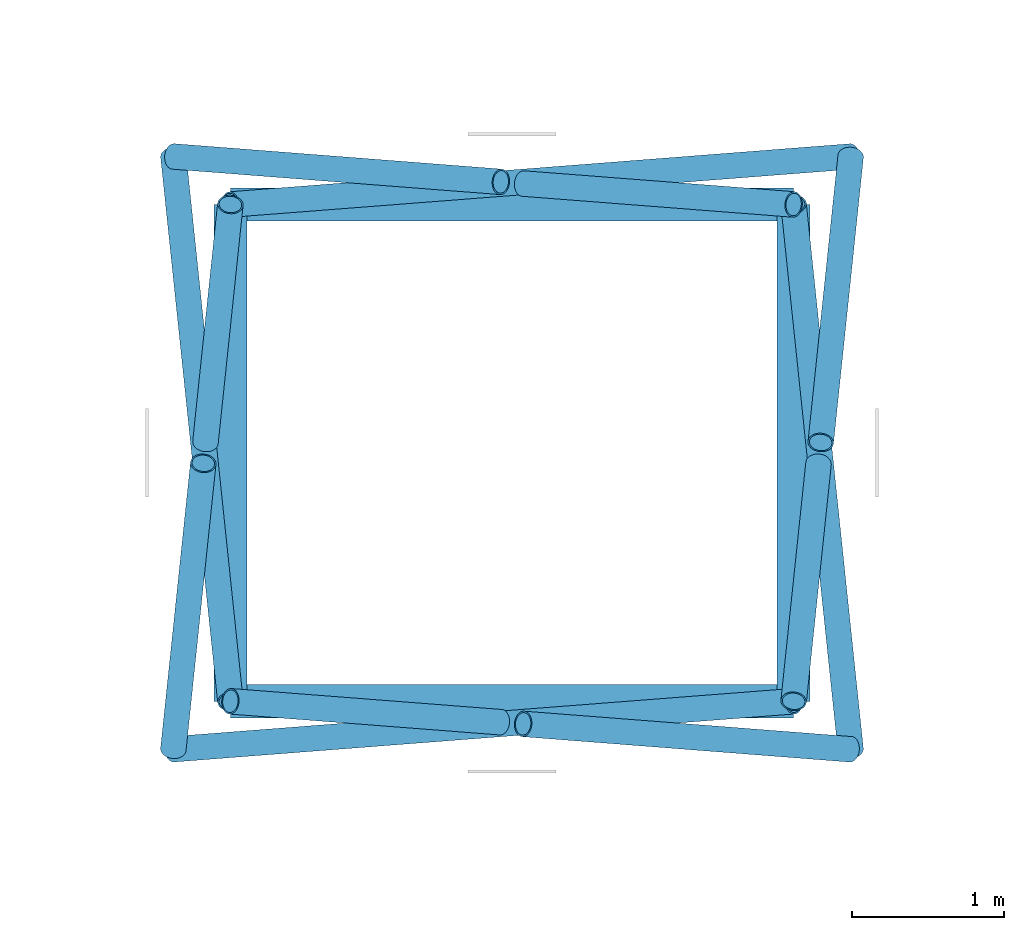
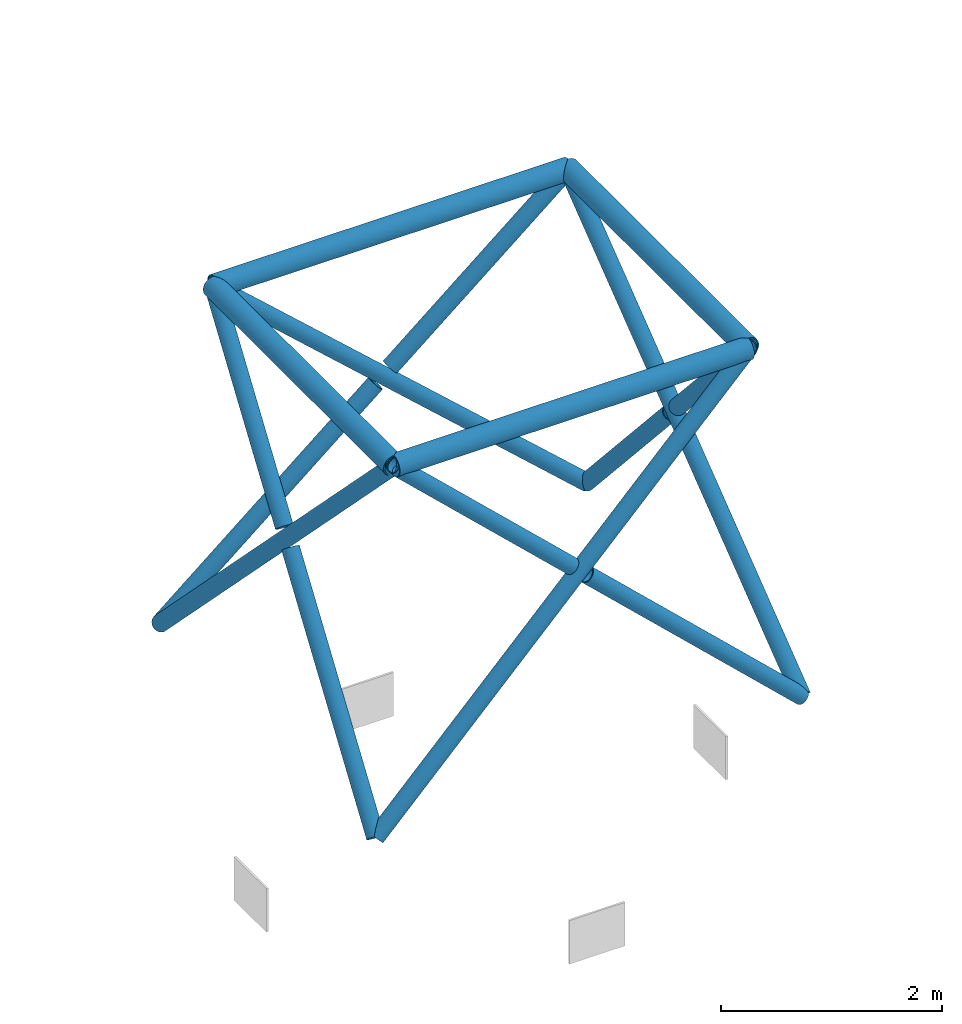
# One storey, part 42 of 127: 16 members.
"""IFC4 building model written with IfcOpenShell, lengths in metres."""

from ifc_helpers import new_model, si_unit, direction, frame, origin, origin_2d, place, context, subcontext, project, spatial, hollow_circle, extrude, material, material_profile, profile_set, type_object, element, save


model = new_model("IFC4")

# Units and contexts
model_context = context("Model", 3, precision=1e-05, world=origin(), true_north=direction((0.0, 1.0)))
body_context = subcontext(model_context, "Body", "Model", "MODEL_VIEW")
ifc_project = project(units=[si_unit("LENGTHUNIT", "METRE"), si_unit("AREAUNIT", "SQUARE_METRE"), si_unit("VOLUMEUNIT", "CUBIC_METRE"), si_unit("PLANEANGLEUNIT", "RADIAN"), si_unit("MASSUNIT", "GRAM", prefix="KILO")], contexts=[model_context])

# Site, building, storey
site_placement = place(None, origin())
site = spatial("IfcSite", under=ifc_project, at=site_placement, CompositionType="ELEMENT")
building_placement = place(site_placement, origin())
building = spatial("IfcBuilding", under=site, at=building_placement, Name="Cumevento Cable Car Station", CompositionType="ELEMENT")
storey_placement = place(building_placement, frame((0.0, 0.0, 4.5)))
storey = spatial("IfcBuildingStorey", under=building, at=storey_placement, Name="L02", CompositionType="ELEMENT", Elevation=4.5)

# Members
ifc_material_1 = material(Name="Steel ASTM A572 Grade 50", Category="steel")
ifc_material_profile_1 = material_profile(ifc_material_1, hollow_circle(Radius=0.109619140625, WallThickness=0.012451171875, at=origin_2d()), Name="CHS219.1x12.5")
ifc_profile_set_1 = profile_set([ifc_material_profile_1], Name="Steel ASTM A572 Grade 50")
member_type_1 = type_object("IfcMemberType", Name="Framing Brace TD-01 CHS219.1x12.5", PredefinedType="BRACE", material=ifc_profile_set_1)
member_1_placement = place(storey_placement, frame((92.150634765625, 21.368896484375, 7.139892578125), z_axis=(1.0, 0.0, 0.0), x_axis=(0.0, 1.0, 0.0)))
element("IfcMember", 1, at=member_1_placement, inside=storey, type_object=member_type_1, Name="PYLON_S01 Horizontal Lattice Girt #529", PredefinedType="BRACE", context=body_context, shape_type="SweptSolid", body=[
    extrude(hollow_circle(Radius=0.109619140625, WallThickness=0.012451171875, at=origin_2d()), origin(), (0.0, 0.0, 1.0), 3.69873046875),
])
member_2_placement = place(storey_placement, frame((95.849365234375, 21.368896484375, 7.139892578125), z_axis=(0.0, 1.0, 0.0), x_axis=(-1.0, 0.0, 0.0)))
element("IfcMember", 2, at=member_2_placement, inside=storey, type_object=member_type_1, Name="PYLON_S01 Horizontal Lattice Girt #533", PredefinedType="BRACE", context=body_context, shape_type="SweptSolid", body=[
    extrude(hollow_circle(Radius=0.109619140625, WallThickness=0.012451171875, at=origin_2d()), origin(), (0.0, 0.0, 1.0), 3.26220703125),
])
member_3_placement = place(storey_placement, frame((95.849365234375, 24.631103515625, 7.139892578125), z_axis=(-1.0, 0.0, 0.0), x_axis=(0.0, -1.0, 0.0)))
element("IfcMember", 3, at=member_3_placement, inside=storey, type_object=member_type_1, Name="PYLON_S01 Horizontal Lattice Girt #537", PredefinedType="BRACE", context=body_context, shape_type="SweptSolid", body=[
    extrude(hollow_circle(Radius=0.109619140625, WallThickness=0.012451171875, at=origin_2d()), origin(), (0.0, 0.0, 1.0), 3.69873046875),
])
member_4_placement = place(storey_placement, frame((92.150634765625, 24.631103515625, 7.139892578125), z_axis=(0.0, -1.0, 0.0), x_axis=(1.0, 0.0, 0.0)))
element("IfcMember", 4, at=member_4_placement, inside=storey, type_object=member_type_1, Name="PYLON_S01 Horizontal Lattice Girt #541", PredefinedType="BRACE", context=body_context, shape_type="SweptSolid", body=[
    extrude(hollow_circle(Radius=0.109619140625, WallThickness=0.012451171875, at=origin_2d()), origin(), (0.0, 0.0, 1.0), 3.26220703125),
])
ifc_material_2 = material(Name="Steel ASTM A572 Grade 50", Category="steel")
ifc_material_profile_2 = material_profile(ifc_material_2, hollow_circle(Radius=0.084228515625, WallThickness=0.010009765625, at=origin_2d()), Name="CHS168.3x10.0")
ifc_profile_set_2 = profile_set([ifc_material_profile_2], Name="Steel ASTM A572 Grade 50")
member_type_2 = type_object("IfcMemberType", Name="Framing Brace TD-02 CHS168.3x10.0", PredefinedType="BRACE", material=ifc_profile_set_2)
member_5_placement = place(storey_placement, frame((91.776123046875, 21.053466796875, 3.360107421875), z_axis=(0.731840659386, 0.056673347634, 0.679115145566), x_axis=(-0.077208304897, 0.997014983666, 0.0)))
element("IfcMember", 5, at=member_5_placement, inside=storey, type_object=member_type_2, Name="PYLON_S01 Lattice X-Brace A #530", PredefinedType="BRACE", context=body_context, shape_type="SweptSolid", body=[
    extrude(hollow_circle(Radius=0.084228515625, WallThickness=0.010009765625, at=origin_2d()), origin(), (0.0, 0.0, 1.0), 5.565673828125),
])
member_6_placement = place(storey_placement, frame((96.223876953125, 21.053466796875, 3.360107421875), z_axis=(-0.731811144104, 0.056740493975, 0.679141344426), x_axis=(-0.077302333693, -0.997007697666, 0.0)))
element("IfcMember", 6, at=member_6_placement, inside=storey, type_object=member_type_2, Name="PYLON_S01 Lattice X-Brace B Lower #531", PredefinedType="BRACE", context=body_context, shape_type="SweptSolid", body=[
    extrude(hollow_circle(Radius=0.084228515625, WallThickness=0.010009765625, at=origin_2d()), origin(), (0.0, 0.0, 1.0), 2.938720703125),
])
member_7_placement = place(storey_placement, frame((93.9267578125, 21.2314453125, 5.49169921875), z_axis=(-0.731835816399, 0.05663554153, 0.67912351842), x_axis=(-0.077157614446, -0.997018907811, 0.0)))
element("IfcMember", 7, at=member_7_placement, inside=storey, type_object=member_type_2, Name="PYLON_S01 Lattice X-Brace B Upper #532", PredefinedType="BRACE", context=body_context, shape_type="SweptSolid", body=[
    extrude(hollow_circle(Radius=0.084228515625, WallThickness=0.010009765625, at=origin_2d()), origin(), (0.0, 0.0, 1.0), 2.427001953125),
])
member_8_placement = place(storey_placement, frame((96.223876953125, 21.053466796875, 3.360107421875), z_axis=(-0.071774363433, 0.685646363592, 0.724387675797), x_axis=(-0.99456553439, -0.104112428672, 0.0)))
element("IfcMember", 8, at=member_8_placement, inside=storey, type_object=member_type_2, Name="PYLON_S01 Lattice X-Brace A #534", PredefinedType="BRACE", context=body_context, shape_type="SweptSolid", body=[
    extrude(hollow_circle(Radius=0.084228515625, WallThickness=0.010009765625, at=origin_2d()), origin(), (0.0, 0.0, 1.0), 5.218017578125),
])
member_9_placement = place(storey_placement, frame((96.223876953125, 24.946533203125, 3.360107421875), z_axis=(-0.071754114576, -0.68563062027, 0.724404582805), x_axis=(0.994568327943, -0.104085738949, 0.0)))
element("IfcMember", 9, at=member_9_placement, inside=storey, type_object=member_type_2, Name="PYLON_S01 Lattice X-Brace B Lower #535", PredefinedType="BRACE", context=body_context, shape_type="SweptSolid", body=[
    extrude(hollow_circle(Radius=0.084228515625, WallThickness=0.010009765625, at=origin_2d()), origin(), (0.0, 0.0, 1.0), 2.739013671875),
])
member_10_placement = place(storey_placement, frame((96.012939453125, 22.931396484375, 5.489013671875), z_axis=(-0.071776472927, -0.685626010052, 0.724406731246), x_axis=(0.994564897486, -0.104118512706, 0.0)))
element("IfcMember", 10, at=member_10_placement, inside=storey, type_object=member_type_2, Name="PYLON_S01 Lattice X-Brace B Upper #536", PredefinedType="BRACE", context=body_context, shape_type="SweptSolid", body=[
    extrude(hollow_circle(Radius=0.084228515625, WallThickness=0.010009765625, at=origin_2d()), origin(), (0.0, 0.0, 1.0), 2.279052734375),
])
member_11_placement = place(storey_placement, frame((96.223876953125, 24.946533203125, 3.360107421875), z_axis=(-0.731840659386, -0.056673347634, 0.679115145566), x_axis=(0.077208304897, -0.997014983666, 0.0)))
element("IfcMember", 11, at=member_11_placement, inside=storey, type_object=member_type_2, Name="PYLON_S01 Lattice X-Brace A #538", PredefinedType="BRACE", context=body_context, shape_type="SweptSolid", body=[
    extrude(hollow_circle(Radius=0.084228515625, WallThickness=0.010009765625, at=origin_2d()), origin(), (0.0, 0.0, 1.0), 5.565673828125),
])
member_12_placement = place(storey_placement, frame((91.776123046875, 24.946533203125, 3.360107421875), z_axis=(0.731811144104, -0.056740493975, 0.679141344426), x_axis=(0.077302333693, 0.997007697666, 0.0)))
element("IfcMember", 12, at=member_12_placement, inside=storey, type_object=member_type_2, Name="PYLON_S01 Lattice X-Brace B Lower #539", PredefinedType="BRACE", context=body_context, shape_type="SweptSolid", body=[
    extrude(hollow_circle(Radius=0.084228515625, WallThickness=0.010009765625, at=origin_2d()), origin(), (0.0, 0.0, 1.0), 2.938720703125),
])
member_13_placement = place(storey_placement, frame((94.0732421875, 24.7685546875, 5.49169921875), z_axis=(0.731835816399, -0.05663554153, 0.67912351842), x_axis=(0.077157614446, 0.997018907811, 0.0)))
element("IfcMember", 13, at=member_13_placement, inside=storey, type_object=member_type_2, Name="PYLON_S01 Lattice X-Brace B Upper #540", PredefinedType="BRACE", context=body_context, shape_type="SweptSolid", body=[
    extrude(hollow_circle(Radius=0.084228515625, WallThickness=0.010009765625, at=origin_2d()), origin(), (0.0, 0.0, 1.0), 2.427001953125),
])
member_14_placement = place(storey_placement, frame((91.776123046875, 24.946533203125, 3.360107421875), z_axis=(0.071774363433, -0.685646363592, 0.724387675797), x_axis=(0.99456553439, 0.104112428672, 0.0)))
element("IfcMember", 14, at=member_14_placement, inside=storey, type_object=member_type_2, Name="PYLON_S01 Lattice X-Brace A #542", PredefinedType="BRACE", context=body_context, shape_type="SweptSolid", body=[
    extrude(hollow_circle(Radius=0.084228515625, WallThickness=0.010009765625, at=origin_2d()), origin(), (0.0, 0.0, 1.0), 5.218017578125),
])
member_15_placement = place(storey_placement, frame((91.776123046875, 21.053466796875, 3.360107421875), z_axis=(0.071754114576, 0.68563062027, 0.724404582805), x_axis=(-0.994568327943, 0.104085738949, 0.0)))
element("IfcMember", 15, at=member_15_placement, inside=storey, type_object=member_type_2, Name="PYLON_S01 Lattice X-Brace B Lower #543", PredefinedType="BRACE", context=body_context, shape_type="SweptSolid", body=[
    extrude(hollow_circle(Radius=0.084228515625, WallThickness=0.010009765625, at=origin_2d()), origin(), (0.0, 0.0, 1.0), 2.739013671875),
])
member_16_placement = place(storey_placement, frame((91.987060546875, 23.068603515625, 5.489013671875), z_axis=(0.071776472927, 0.685626010052, 0.724406731246), x_axis=(-0.994564897486, 0.104118512706, 0.0)))
element("IfcMember", 16, at=member_16_placement, inside=storey, type_object=member_type_2, Name="PYLON_S01 Lattice X-Brace B Upper #544", PredefinedType="BRACE", context=body_context, shape_type="SweptSolid", body=[
    extrude(hollow_circle(Radius=0.084228515625, WallThickness=0.010009765625, at=origin_2d()), origin(), (0.0, 0.0, 1.0), 2.279052734375),
])

save(model, "model.ifc")
